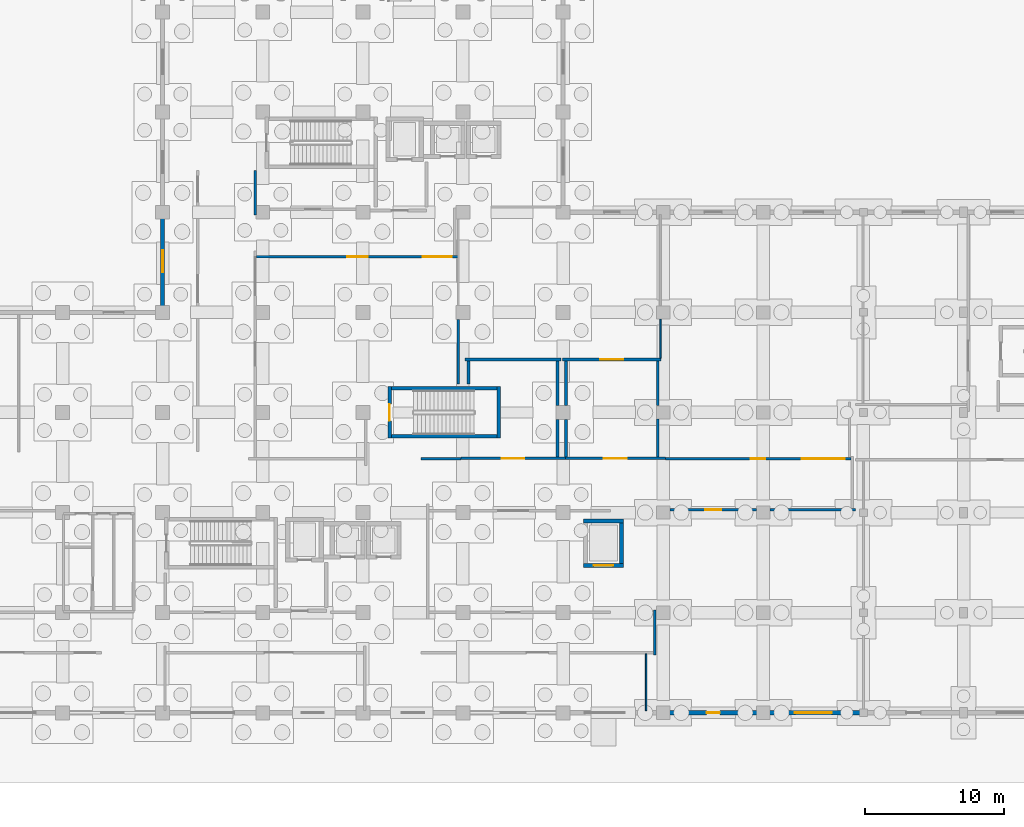
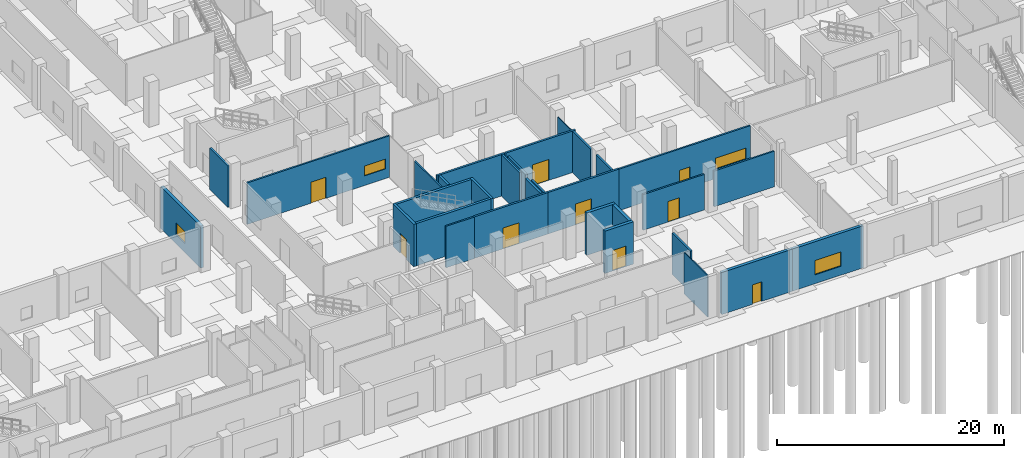
# One storey, part 24 of 48: 31 walls, 9 doors, 4 windows, 13 openings.
"""IFC4 building model written with IfcOpenShell, lengths in metres."""

from ifc_helpers import new_model, si_unit, direction, frame, frame_2d, origin, place, context, subcontext, project, spatial, rectangle, extrude, material, layer, layer_set, type_object, element, fill, save


model = new_model("IFC4")

# Units and contexts
model_context = context("Model", 3, precision=1e-05, world=origin(), true_north=direction((0.0, 1.0)))
body_context = subcontext(model_context, "Body", "Model", "MODEL_VIEW")
ifc_project = project(units=[si_unit("LENGTHUNIT", "METRE"), si_unit("AREAUNIT", "SQUARE_METRE"), si_unit("VOLUMEUNIT", "CUBIC_METRE"), si_unit("PLANEANGLEUNIT", "RADIAN"), si_unit("MASSUNIT", "GRAM", prefix="KILO")], contexts=[model_context])

# Site, building, storey
site_placement = place(None, origin())
site = spatial("IfcSite", under=ifc_project, at=site_placement, CompositionType="ELEMENT")
building_placement = place(site_placement, origin())
building = spatial("IfcBuilding", under=site, at=building_placement, Name="Seraya Terrace Polytechnic", CompositionType="ELEMENT")
storey_placement = place(building_placement, origin())
storey = spatial("IfcBuildingStorey", under=building, at=storey_placement, Name="L00", CompositionType="ELEMENT", Elevation=0.0)

# Wall, opening, window
ifc_material_1 = material(Name="Concrete C40/50", Category="concrete")
ifc_layer_1 = layer(ifc_material_1, 0.300048828125, Name="EW-01")
ifc_layer_set_1 = layer_set([ifc_layer_1], Name="Concrete C40/50")
wall_type_1 = type_object("IfcWallType", Name="EW-01", PredefinedType="SOLIDWALL", material=ifc_layer_set_1)
wall_1_placement = place(storey_placement, frame((129.60009765625, 0.0, 0.0), z_axis=(0.0, 0.0, 1.0), x_axis=(-1.0, 0.0, 0.0)))
wall_1 = element("IfcWall", 1, at=wall_1_placement, inside=storey, type_object=wall_type_1, Name="Exterior structural wall EW-01 L00", PredefinedType="SOLIDWALL", context=body_context, shape_type="SweptSolid", body=[
    extrude(rectangle(XDim=7.2001953125, YDim=0.300048828125, at=frame_2d((3.60009765625, 0.0))), origin(), (0.0, 0.0, 1.0), 4.52001953125),
])
opening_1_placement = place(wall_1_placement, frame((2.27490234375, 0.0, 0.949951171875)))
opening_1 = element("IfcOpeningElement", 2, at=opening_1_placement, cuts=wall_1, Name="Opening WN-22", PredefinedType="OPENING", context=body_context, shape_type="SweptSolid", body=[
    extrude(rectangle(XDim=2.64990234375, YDim=1.550048828125, at=frame_2d((1.324951171875, 0.77490234375))), frame((0.0, 0.162109375, 0.0), z_axis=(0.0, -1.0, 0.0), x_axis=(1.0, 0.0, 0.0)), (0.0, 0.0, 1.0), 0.323974609375),
])
ifc_material_2 = material(Name="Laminated solar-control Low-E double glazing", Category="glass")
window_type_1 = type_object("IfcWindowType", Name="WN-22", PartitioningType="SINGLE_PANEL", PredefinedType="WINDOW", material=ifc_material_2)
window_1_placement = place(opening_1_placement, origin())
window_1 = element("IfcWindow", 3, at=window_1_placement, inside=storey, type_object=window_type_1, Name="Exterior window WN-22 L00", OverallHeight=1.550048828125, OverallWidth=2.64990234375, PartitioningType="SINGLE_PANEL", PredefinedType="WINDOW", context=body_context, shape_type="SweptSolid", body=[
    extrude(rectangle(XDim=2.64990234375, YDim=1.550048828125, at=frame_2d((1.324951171875, 0.77490234375))), frame((0.0, 0.030029296875, 0.0), z_axis=(0.0, -1.0, 0.0), x_axis=(1.0, 0.0, 0.0)), (0.0, 0.0, 1.0), 0.06005859375),
])
fill(opening_1, window_1)

# Wall, opening, door
wall_2_placement = place(storey_placement, frame((122.39990234375, 0.0, 0.0), z_axis=(0.0, 0.0, 1.0), x_axis=(-1.0, 0.0, 0.0)))
wall_2 = element("IfcWall", 4, at=wall_2_placement, inside=storey, type_object=wall_type_1, Name="Exterior structural wall EW-01 L00", PredefinedType="SOLIDWALL", context=body_context, shape_type="SweptSolid", body=[
    extrude(rectangle(XDim=7.199951171875, YDim=0.300048828125, at=frame_2d((3.60009765625, 0.0))), origin(), (0.0, 0.0, 1.0), 4.52001953125),
])
opening_2_placement = place(wall_2_placement, frame((3.1201171875, 0.0, 0.0)))
opening_2 = element("IfcOpeningElement", 5, at=opening_2_placement, cuts=wall_2, Name="Opening ED-08", PredefinedType="OPENING", context=body_context, shape_type="SweptSolid", body=[
    extrude(rectangle(XDim=0.9599609375, YDim=2.10009765625, at=frame_2d((0.47998046875, 1.050048828125))), frame((0.0, 0.162109375, 0.0), z_axis=(0.0, -1.0, 0.0), x_axis=(1.0, 0.0, 0.0)), (0.0, 0.0, 1.0), 0.323974609375),
])
ifc_material_3 = material(Name="Anodised aluminium EN AW-6063 T6", Category="aluminium")
door_type_1 = type_object("IfcDoorType", Name="ED-08", OperationType="NOTDEFINED", PredefinedType="DOOR", material=ifc_material_3)
door_1_placement = place(opening_2_placement, origin())
door_1 = element("IfcDoor", 6, at=door_1_placement, inside=storey, type_object=door_type_1, Name="Door ED-08 DR-EXIT-L00-024 in WL-EXT-L00-08-06", OperationType="SINGLE_SWING_LEFT", OverallHeight=2.10009765625, OverallWidth=0.9599609375, PredefinedType="DOOR", context=body_context, shape_type="SweptSolid", body=[
    extrude(rectangle(XDim=0.9599609375, YDim=2.10009765625, at=frame_2d((0.47998046875, 1.050048828125))), frame((0.0, 0.02490234375, 0.0), z_axis=(0.0, -1.0, 0.0), x_axis=(1.0, 0.0, 0.0)), (0.0, 0.0, 1.0), 0.050048828125),
])
fill(opening_2, door_1)

# Wall, opening, window
wall_3_placement = place(storey_placement, frame((79.199951171875, 28.951904296875, 0.0), z_axis=(0.0, 0.0, 1.0), x_axis=(0.0, 1.0, 0.0)))
wall_3 = element("IfcWall", 7, at=wall_3_placement, inside=storey, type_object=wall_type_1, Name="Exterior structural wall EW-01 L00", PredefinedType="SOLIDWALL", context=body_context, shape_type="SweptSolid", body=[
    extrude(rectangle(XDim=7.048095703125, YDim=0.300048828125, at=frame_2d((3.52392578125, 0.0))), origin(), (0.0, 0.0, 1.0), 4.52001953125),
])
opening_3_placement = place(wall_3_placement, frame((2.72412109375, 0.0, 0.949951171875)))
opening_3 = element("IfcOpeningElement", 8, at=opening_3_placement, cuts=wall_3, Name="Opening WN-05", PredefinedType="OPENING", context=body_context, shape_type="SweptSolid", body=[
    extrude(rectangle(XDim=1.60009765625, YDim=1.300048828125, at=frame_2d((0.800048828125, 0.64990234375))), frame((0.0, 0.162109375, 0.0), z_axis=(0.0, -1.0, 0.0), x_axis=(1.0, 0.0, 0.0)), (0.0, 0.0, 1.0), 0.323974609375),
])
window_type_2 = type_object("IfcWindowType", Name="WN-05", PartitioningType="SINGLE_PANEL", PredefinedType="WINDOW", material=ifc_material_2)
window_2_placement = place(opening_3_placement, origin())
window_2 = element("IfcWindow", 9, at=window_2_placement, inside=storey, type_object=window_type_2, Name="Exterior window WN-05 L00", OverallHeight=1.300048828125, OverallWidth=1.60009765625, PartitioningType="SINGLE_PANEL", PredefinedType="WINDOW", context=body_context, shape_type="SweptSolid", body=[
    extrude(rectangle(XDim=1.60009765625, YDim=1.300048828125, at=frame_2d((0.800048828125, 0.64990234375))), frame((0.0, 0.030029296875, 0.0), z_axis=(0.0, -1.0, 0.0), x_axis=(1.0, 0.0, 0.0)), (0.0, 0.0, 1.0), 0.06005859375),
])
fill(opening_3, window_2)

# Wall, opening, door
ifc_material_4 = material(Name="Autoclaved aerated concrete blockwork", Category="masonry")
ifc_layer_2 = layer(ifc_material_4, 0.199951171875, Name="PT-01")
ifc_layer_set_2 = layer_set([ifc_layer_2], Name="Autoclaved aerated concrete blockwork")
wall_type_2 = type_object("IfcWallType", Name="PT-01", PredefinedType="PARTITIONING", material=ifc_layer_set_2)
wall_4_placement = place(storey_placement, frame((100.639892578125, 18.300048828125, 0.0), z_axis=(0.0, 0.0, 1.0), x_axis=(1.0, 0.0, 0.0)))
wall_4 = element("IfcWall", 10, at=wall_4_placement, inside=storey, type_object=wall_type_2, Name="Internal partition PT-01 L00", PredefinedType="PARTITIONING", context=body_context, shape_type="SweptSolid", body=[
    extrude(rectangle(XDim=7.52001953125, YDim=0.199951171875, at=frame_2d((3.760009765625, 0.0))), origin(), (0.0, 0.0, 1.0), 4.4599609375),
])
opening_4_placement = place(wall_4_placement, frame((2.93994140625, 0.0, 0.0)))
opening_4 = element("IfcOpeningElement", 11, at=opening_4_placement, cuts=wall_4, Name="Opening FD-03", PredefinedType="OPENING", context=body_context, shape_type="SweptSolid", body=[
    extrude(rectangle(XDim=1.639892578125, YDim=2.239990234375, at=frame_2d((0.81982421875, 1.1201171875))), frame((0.0, 0.11181640625, 0.0), z_axis=(0.0, -1.0, 0.0), x_axis=(1.0, 0.0, 0.0)), (0.0, 0.0, 1.0), 0.223876953125),
])
ifc_material_5 = material(Name="Steel S355J2", Category="steel")
door_type_2 = type_object("IfcDoorType", Name="FD-03", OperationType="DOUBLE_DOOR_SINGLE_SWING", PredefinedType="DOOR", material=ifc_material_5)
door_2_placement = place(opening_4_placement, origin())
door_2 = element("IfcDoor", 12, at=door_2_placement, inside=storey, type_object=door_type_2, Name="Door FD-03 DR-INT-L00-0026 in WL-INT-L00-0019", OperationType="DOUBLE_DOOR_SINGLE_SWING", OverallHeight=2.239990234375, OverallWidth=1.639892578125, PredefinedType="DOOR", context=body_context, shape_type="SweptSolid", body=[
    extrude(rectangle(XDim=1.639892578125, YDim=2.239990234375, at=frame_2d((0.81982421875, 1.1201171875))), frame((0.0, 0.02490234375, 0.0), z_axis=(0.0, -1.0, 0.0), x_axis=(1.0, 0.0, 0.0)), (0.0, 0.0, 1.0), 0.050048828125),
])
fill(opening_4, door_2)

# Walls
wall_5_placement = place(storey_placement, frame((100.9599609375, 25.39990234375, 0.0), z_axis=(0.0, 0.0, 1.0), x_axis=(1.0, 0.0, 0.0)))
element("IfcWall", 13, at=wall_5_placement, inside=storey, type_object=wall_type_2, Name="Internal partition PT-01 L00", PredefinedType="PARTITIONING", context=body_context, shape_type="SweptSolid", body=[
    extrude(rectangle(XDim=6.880126953125, YDim=0.199951171875, at=frame_2d((3.43994140625, 0.0))), origin(), (0.0, 0.0, 1.0), 4.4599609375),
])
wall_6_placement = place(storey_placement, frame((107.60009765625, 22.110107421875, 0.0), z_axis=(0.0, 0.0, 1.0), x_axis=(0.0, 1.0, 0.0)))
element("IfcWall", 14, at=wall_6_placement, inside=storey, type_object=wall_type_2, Name="Internal partition PT-01 L00", PredefinedType="PARTITIONING", context=body_context, shape_type="SweptSolid", body=[
    extrude(rectangle(XDim=3.1748046875, YDim=0.199951171875, at=frame_2d((1.58740234375, 0.0))), origin(), (0.0, 0.0, 1.0), 4.4599609375),
])
wall_7_placement = place(storey_placement, frame((107.60009765625, 18.4150390625, 0.0), z_axis=(0.0, 0.0, 1.0), x_axis=(0.0, 1.0, 0.0)))
element("IfcWall", 15, at=wall_7_placement, inside=storey, type_object=wall_type_2, Name="Internal partition PT-01 L00", PredefinedType="PARTITIONING", context=body_context, shape_type="SweptSolid", body=[
    extrude(rectangle(XDim=2.675048828125, YDim=0.199951171875, at=frame_2d((1.33740234375, 0.0))), origin(), (0.0, 0.0, 1.0), 4.4599609375),
])
wall_8_placement = place(storey_placement, frame((101.199951171875, 23.6298828125, 0.0), z_axis=(0.0, 0.0, 1.0), x_axis=(0.0, 1.0, 0.0)))
element("IfcWall", 16, at=wall_8_placement, inside=storey, type_object=wall_type_2, Name="Internal partition PT-01 L00", PredefinedType="PARTITIONING", context=body_context, shape_type="SweptSolid", body=[
    extrude(rectangle(XDim=1.655029296875, YDim=0.199951171875, at=frame_2d((0.82763671875, 0.0))), origin(), (0.0, 0.0, 1.0), 4.4599609375),
])

# Wall, opening, door
wall_9_placement = place(storey_placement, frame((108.159912109375, 18.300048828125, 0.0), z_axis=(0.0, 0.0, 1.0), x_axis=(1.0, 0.0, 0.0)))
wall_9 = element("IfcWall", 17, at=wall_9_placement, inside=storey, type_object=wall_type_2, Name="Internal partition PT-01 L00", PredefinedType="PARTITIONING", context=body_context, shape_type="SweptSolid", body=[
    extrude(rectangle(XDim=7.2001953125, YDim=0.199951171875, at=frame_2d((3.60009765625, 0.0))), origin(), (0.0, 0.0, 1.0), 4.4599609375),
])
opening_5_placement = place(wall_9_placement, frame((2.780029296875, 0.0, 0.0)))
opening_5 = element("IfcOpeningElement", 18, at=opening_5_placement, cuts=wall_9, Name="Opening FD-03", PredefinedType="OPENING", context=body_context, shape_type="SweptSolid", body=[
    extrude(rectangle(XDim=1.639892578125, YDim=2.239990234375, at=frame_2d((0.81982421875, 1.1201171875))), frame((0.0, 0.11181640625, 0.0), z_axis=(0.0, -1.0, 0.0), x_axis=(1.0, 0.0, 0.0)), (0.0, 0.0, 1.0), 0.223876953125),
])
door_3_placement = place(opening_5_placement, origin())
door_3 = element("IfcDoor", 19, at=door_3_placement, inside=storey, type_object=door_type_2, Name="Door FD-03 DR-INT-L00-0028 in WL-INT-L00-0024", OperationType="DOUBLE_DOOR_SINGLE_SWING", OverallHeight=2.239990234375, OverallWidth=1.639892578125, PredefinedType="DOOR", context=body_context, shape_type="SweptSolid", body=[
    extrude(rectangle(XDim=1.639892578125, YDim=2.239990234375, at=frame_2d((0.81982421875, 1.1201171875))), frame((0.0, 0.02490234375, 0.0), z_axis=(0.0, -1.0, 0.0), x_axis=(1.0, 0.0, 0.0)), (0.0, 0.0, 1.0), 0.050048828125),
])
fill(opening_5, door_3)

wall_10_placement = place(storey_placement, frame((107.9599609375, 25.39990234375, 0.0), z_axis=(0.0, 0.0, 1.0), x_axis=(1.0, 0.0, 0.0)))
wall_10 = element("IfcWall", 20, at=wall_10_placement, inside=storey, type_object=wall_type_2, Name="Internal partition PT-01 L00", PredefinedType="PARTITIONING", context=body_context, shape_type="SweptSolid", body=[
    extrude(rectangle(XDim=7.080078125, YDim=0.199951171875, at=frame_2d((3.5400390625, 0.0))), origin(), (0.0, 0.0, 1.0), 4.4599609375),
])
opening_6_placement = place(wall_10_placement, frame((2.719970703125, 0.0, 0.0)))
opening_6 = element("IfcOpeningElement", 21, at=opening_6_placement, cuts=wall_10, Name="Opening FD-03", PredefinedType="OPENING", context=body_context, shape_type="SweptSolid", body=[
    extrude(rectangle(XDim=1.639892578125, YDim=2.239990234375, at=frame_2d((0.81982421875, 1.1201171875))), frame((0.0, 0.11181640625, 0.0), z_axis=(0.0, -1.0, 0.0), x_axis=(1.0, 0.0, 0.0)), (0.0, 0.0, 1.0), 0.223876953125),
])
door_4_placement = place(opening_6_placement, frame((1.639892578125, 0.0, 0.0), z_axis=(0.0, 0.0, 1.0), x_axis=(-1.0, 0.0, 0.0)))
door_4 = element("IfcDoor", 22, at=door_4_placement, inside=storey, type_object=door_type_2, Name="Door FD-03 DR-INT-L00-0029 in WL-INT-L00-0025", OperationType="DOUBLE_DOOR_SINGLE_SWING", OverallHeight=2.239990234375, OverallWidth=1.639892578125, PredefinedType="DOOR", context=body_context, shape_type="SweptSolid", body=[
    extrude(rectangle(XDim=1.639892578125, YDim=2.239990234375, at=frame_2d((0.81982421875, 1.1201171875))), frame((0.0, 0.02490234375, 0.0), z_axis=(0.0, -1.0, 0.0), x_axis=(1.0, 0.0, 0.0)), (0.0, 0.0, 1.0), 0.050048828125),
])
fill(opening_6, door_4)

# Walls
wall_11_placement = place(storey_placement, frame((114.800048828125, 22.0849609375, 0.0), z_axis=(0.0, 0.0, 1.0), x_axis=(0.0, 1.0, 0.0)))
element("IfcWall", 23, at=wall_11_placement, inside=storey, type_object=wall_type_2, Name="Internal partition PT-01 L00", PredefinedType="PARTITIONING", context=body_context, shape_type="SweptSolid", body=[
    extrude(rectangle(XDim=3.199951171875, YDim=0.199951171875, at=frame_2d((1.60009765625, 0.0))), origin(), (0.0, 0.0, 1.0), 4.4599609375),
])
wall_12_placement = place(storey_placement, frame((114.800048828125, 18.4150390625, 0.0), z_axis=(0.0, 0.0, 1.0), x_axis=(0.0, 1.0, 0.0)))
element("IfcWall", 24, at=wall_12_placement, inside=storey, type_object=wall_type_2, Name="Internal partition PT-01 L00", PredefinedType="PARTITIONING", context=body_context, shape_type="SweptSolid", body=[
    extrude(rectangle(XDim=2.699951171875, YDim=0.199951171875, at=frame_2d((1.35009765625, 0.0))), origin(), (0.0, 0.0, 1.0), 4.4599609375),
])
wall_13_placement = place(storey_placement, frame((108.199951171875, 22.110107421875, 0.0), z_axis=(0.0, 0.0, 1.0), x_axis=(0.0, 1.0, 0.0)))
element("IfcWall", 25, at=wall_13_placement, inside=storey, type_object=wall_type_2, Name="Internal partition PT-01 L00", PredefinedType="PARTITIONING", context=body_context, shape_type="SweptSolid", body=[
    extrude(rectangle(XDim=3.1748046875, YDim=0.199951171875, at=frame_2d((1.58740234375, 0.0))), origin(), (0.0, 0.0, 1.0), 4.080078125),
])
wall_14_placement = place(storey_placement, frame((108.199951171875, 18.4150390625, 0.0), z_axis=(0.0, 0.0, 1.0), x_axis=(0.0, 1.0, 0.0)))
element("IfcWall", 26, at=wall_14_placement, inside=storey, type_object=wall_type_2, Name="Internal partition PT-01 L00", PredefinedType="PARTITIONING", context=body_context, shape_type="SweptSolid", body=[
    extrude(rectangle(XDim=2.675048828125, YDim=0.199951171875, at=frame_2d((1.33740234375, 0.0))), origin(), (0.0, 0.0, 1.0), 4.080078125),
])

# Wall, opening, door
ifc_layer_3 = layer(ifc_material_4, 0.169921875, Name="PT-02")
ifc_layer_set_3 = layer_set([ifc_layer_3], Name="Autoclaved aerated concrete blockwork")
wall_type_3 = type_object("IfcWallType", Name="PT-02", PredefinedType="PARTITIONING", material=ifc_layer_set_3)
wall_15_placement = place(storey_placement, frame((115.68505859375, 14.60009765625, 0.0), z_axis=(0.0, 0.0, 1.0), x_axis=(1.0, 0.0, 0.0)))
wall_15 = element("IfcWall", 27, at=wall_15_placement, inside=storey, type_object=wall_type_3, Name="Internal partition PT-02 L00", PredefinedType="PARTITIONING", context=body_context, shape_type="SweptSolid", body=[
    extrude(rectangle(XDim=6.22998046875, YDim=0.169921875, at=frame_2d((3.114990234375, 0.0))), origin(), (0.0, 0.0, 1.0), 3.830078125),
])
opening_7_placement = place(wall_15_placement, frame((2.544921875, 0.0, 0.0)))
opening_7 = element("IfcOpeningElement", 28, at=opening_7_placement, cuts=wall_15, Name="Opening ID-06", PredefinedType="OPENING", context=body_context, shape_type="SweptSolid", body=[
    extrude(rectangle(XDim=1.139892578125, YDim=2.199951171875, at=frame_2d((0.56982421875, 1.10009765625))), frame((0.0, 0.096923828125, 0.0), z_axis=(0.0, -1.0, 0.0), x_axis=(1.0, 0.0, 0.0)), (0.0, 0.0, 1.0), 0.19384765625),
])
ifc_material_6 = material(Name="Malaysian dark red meranti hardwood timber D40", Category="wood")
door_type_3 = type_object("IfcDoorType", Name="ID-06", OperationType="NOTDEFINED", PredefinedType="DOOR", material=ifc_material_6)
door_5_placement = place(opening_7_placement, frame((1.139892578125, 0.0, 0.0), z_axis=(0.0, 0.0, 1.0), x_axis=(-1.0, 0.0, 0.0)))
door_5 = element("IfcDoor", 29, at=door_5_placement, inside=storey, type_object=door_type_3, Name="Door ID-06 DR-INT-L00-0035 in WL-INT-L00-0036", OperationType="SINGLE_SWING_RIGHT", OverallHeight=2.199951171875, OverallWidth=1.139892578125, PredefinedType="DOOR", context=body_context, shape_type="SweptSolid", body=[
    extrude(rectangle(XDim=1.139892578125, YDim=2.199951171875, at=frame_2d((0.56982421875, 1.10009765625))), frame((0.0, 0.02490234375, 0.0), z_axis=(0.0, -1.0, 0.0), x_axis=(1.0, 0.0, 0.0)), (0.0, 0.0, 1.0), 0.050048828125),
])
fill(opening_7, door_5)

# Walls
wall_16_placement = place(storey_placement, frame((122.885009765625, 14.60009765625, 0.0), z_axis=(0.0, 0.0, 1.0), x_axis=(1.0, 0.0, 0.0)))
element("IfcWall", 30, at=wall_16_placement, inside=storey, type_object=wall_type_3, Name="Internal partition PT-02 L00", PredefinedType="PARTITIONING", context=body_context, shape_type="SweptSolid", body=[
    extrude(rectangle(XDim=6.155029296875, YDim=0.169921875, at=frame_2d((3.07763671875, 0.0))), origin(), (0.0, 0.0, 1.0), 3.830078125),
])
wall_17_placement = place(storey_placement, frame((97.7880859375, 18.27001953125, 0.0), z_axis=(0.0, 0.0, 1.0), x_axis=(1.0, 0.0, 0.0)))
element("IfcWall", 31, at=wall_17_placement, inside=storey, type_object=wall_type_3, Name="Internal partition PT-02 L00", PredefinedType="PARTITIONING", context=body_context, shape_type="SweptSolid", body=[
    extrude(rectangle(XDim=2.851806640625, YDim=0.169921875, at=frame_2d((1.42578125, 0.0))), origin(), (0.0, 0.0, 1.0), 4.4599609375),
])

# Wall, openings, door, window
wall_18_placement = place(storey_placement, frame((115.360107421875, 18.27001953125, 0.0), z_axis=(0.0, 0.0, 1.0), x_axis=(1.0, 0.0, 0.0)))
wall_18 = element("IfcWall", 32, at=wall_18_placement, inside=storey, type_object=wall_type_3, Name="Internal partition PT-02 L00", PredefinedType="PARTITIONING", context=body_context, shape_type="SweptSolid", body=[
    extrude(rectangle(XDim=13.33984375, YDim=0.169921875, at=frame_2d((6.669921875, 0.0))), origin(), (0.0, 0.0, 1.0), 4.4599609375),
])
opening_8_placement = place(wall_18_placement, frame((6.14990234375, 0.0, 0.0)))
opening_8 = element("IfcOpeningElement", 33, at=opening_8_placement, cuts=wall_18, Name="Opening ID-04", PredefinedType="OPENING", context=body_context, shape_type="SweptSolid", body=[
    extrude(rectangle(XDim=1.0400390625, YDim=2.179931640625, at=frame_2d((0.52001953125, 1.08984375))), frame((0.0, 0.096923828125, 0.0), z_axis=(0.0, -1.0, 0.0), x_axis=(1.0, 0.0, 0.0)), (0.0, 0.0, 1.0), 0.19384765625),
])
opening_9_placement = place(wall_18_placement, frame((9.7900390625, 0.0, 1.050048828125)))
opening_9 = element("IfcOpeningElement", 34, at=opening_9_placement, cuts=wall_18, Name="Opening IW-06", PredefinedType="OPENING", context=body_context, shape_type="SweptSolid", body=[
    extrude(rectangle(XDim=3.10009765625, YDim=1.14990234375, at=frame_2d((1.550048828125, 0.574951171875))), frame((0.0, 0.096923828125, 0.0), z_axis=(0.0, -1.0, 0.0), x_axis=(1.0, 0.0, 0.0)), (0.0, 0.0, 1.0), 0.19384765625),
])
door_type_4 = type_object("IfcDoorType", Name="ID-04", OperationType="NOTDEFINED", PredefinedType="DOOR", material=ifc_material_6)
door_6_placement = place(opening_8_placement, frame((1.0400390625, 0.0, 0.0), z_axis=(0.0, 0.0, 1.0), x_axis=(-1.0, 0.0, 0.0)))
door_6 = element("IfcDoor", 35, at=door_6_placement, inside=storey, type_object=door_type_4, Name="Door ID-04 DR-INT-L00-0017 in WL-INT-L00-0040", OperationType="SINGLE_SWING_RIGHT", OverallHeight=2.179931640625, OverallWidth=1.0400390625, PredefinedType="DOOR", context=body_context, shape_type="SweptSolid", body=[
    extrude(rectangle(XDim=1.0400390625, YDim=2.179931640625, at=frame_2d((0.52001953125, 1.08984375))), frame((0.0, 0.02490234375, 0.0), z_axis=(0.0, -1.0, 0.0), x_axis=(1.0, 0.0, 0.0)), (0.0, 0.0, 1.0), 0.050048828125),
])
fill(opening_8, door_6)
window_type_3 = type_object("IfcWindowType", Name="IW-06", PartitioningType="SINGLE_PANEL", PredefinedType="WINDOW", material=ifc_material_2)
window_3_placement = place(opening_9_placement, origin())
window_3 = element("IfcWindow", 36, at=window_3_placement, inside=storey, type_object=window_type_3, Name="Internal lab vision window IW-06 L00", OverallHeight=1.14990234375, OverallWidth=3.10009765625, PartitioningType="SINGLE_PANEL", PredefinedType="WINDOW", context=body_context, shape_type="SweptSolid", body=[
    extrude(rectangle(XDim=3.10009765625, YDim=1.14990234375, at=frame_2d((1.550048828125, 0.574951171875))), frame((0.0, 0.030029296875, 0.0), z_axis=(0.0, -1.0, 0.0), x_axis=(1.0, 0.0, 0.0)), (0.0, 0.0, 1.0), 0.06005859375),
])
fill(opening_9, window_3)

# Walls
wall_19_placement = place(storey_placement, frame((114.60009765625, 4.159912109375, 0.0), z_axis=(0.0, 0.0, 1.0), x_axis=(0.0, 1.0, 0.0)))
element("IfcWall", 37, at=wall_19_placement, inside=storey, type_object=wall_type_3, Name="Internal partition PT-02 L00", PredefinedType="PARTITIONING", context=body_context, shape_type="SweptSolid", body=[
    extrude(rectangle(XDim=3.22998046875, YDim=0.169921875, at=frame_2d((1.614990234375, 0.0))), origin(), (0.0, 0.0, 1.0), 4.4599609375),
])
wall_20_placement = place(storey_placement, frame((85.8701171875, 35.820068359375, 0.0), z_axis=(0.0, 0.0, 1.0), x_axis=(0.0, 1.0, 0.0)))
element("IfcWall", 38, at=wall_20_placement, inside=storey, type_object=wall_type_3, Name="Internal partition PT-02 L00", PredefinedType="PARTITIONING", context=body_context, shape_type="SweptSolid", body=[
    extrude(rectangle(XDim=3.19189453125, YDim=0.169921875, at=frame_2d((1.595947265625, 0.0))), origin(), (0.0, 0.0, 1.0), 4.4599609375),
])

# Wall, openings, door, window
wall_21_placement = place(storey_placement, frame((85.963134765625, 32.800048828125, 0.0), z_axis=(0.0, 0.0, 1.0), x_axis=(1.0, 0.0, 0.0)))
wall_21 = element("IfcWall", 39, at=wall_21_placement, inside=storey, type_object=wall_type_3, Name="Internal partition PT-02 L00", PredefinedType="PARTITIONING", context=body_context, shape_type="SweptSolid", body=[
    extrude(rectangle(XDim=14.476806640625, YDim=0.169921875, at=frame_2d((7.23828125, 0.0))), origin(), (0.0, 0.0, 1.0), 4.4599609375),
])
opening_10_placement = place(wall_21_placement, frame((6.498291015625, 0.0, 0.0)))
opening_10 = element("IfcOpeningElement", 40, at=opening_10_placement, cuts=wall_21, Name="Opening ID-11", PredefinedType="OPENING", context=body_context, shape_type="SweptSolid", body=[
    extrude(rectangle(XDim=1.47998046875, YDim=2.260009765625, at=frame_2d((0.739990234375, 1.1298828125))), frame((0.0, 0.096923828125, 0.0), z_axis=(0.0, -1.0, 0.0), x_axis=(1.0, 0.0, 0.0)), (0.0, 0.0, 1.0), 0.19384765625),
])
opening_11_placement = place(wall_21_placement, frame((11.9267578125, 0.0, 1.050048828125)))
opening_11 = element("IfcOpeningElement", 41, at=opening_11_placement, cuts=wall_21, Name="Opening IW-03", PredefinedType="OPENING", context=body_context, shape_type="SweptSolid", body=[
    extrude(rectangle(XDim=2.10009765625, YDim=1.050048828125, at=frame_2d((1.050048828125, 0.52490234375))), frame((0.0, 0.096923828125, 0.0), z_axis=(0.0, -1.0, 0.0), x_axis=(1.0, 0.0, 0.0)), (0.0, 0.0, 1.0), 0.19384765625),
])
door_type_5 = type_object("IfcDoorType", Name="ID-11", OperationType="DOUBLE_DOOR_SINGLE_SWING", PredefinedType="DOOR", material=ifc_material_6)
door_7_placement = place(opening_10_placement, origin())
door_7 = element("IfcDoor", 42, at=door_7_placement, inside=storey, type_object=door_type_5, Name="Door ID-11 DR-INT-L00-0008 in WL-INT-L00-0065", OperationType="DOUBLE_DOOR_SINGLE_SWING", OverallHeight=2.260009765625, OverallWidth=1.47998046875, PredefinedType="DOOR", context=body_context, shape_type="SweptSolid", body=[
    extrude(rectangle(XDim=1.47998046875, YDim=2.260009765625, at=frame_2d((0.739990234375, 1.1298828125))), frame((0.0, 0.02490234375, 0.0), z_axis=(0.0, -1.0, 0.0), x_axis=(1.0, 0.0, 0.0)), (0.0, 0.0, 1.0), 0.050048828125),
])
fill(opening_10, door_7)
window_type_4 = type_object("IfcWindowType", Name="IW-03", PartitioningType="SINGLE_PANEL", PredefinedType="WINDOW", material=ifc_material_2)
window_4_placement = place(opening_11_placement, origin())
window_4 = element("IfcWindow", 43, at=window_4_placement, inside=storey, type_object=window_type_4, Name="Internal lab vision window IW-03 L00", OverallHeight=1.050048828125, OverallWidth=2.10009765625, PartitioningType="SINGLE_PANEL", PredefinedType="WINDOW", context=body_context, shape_type="SweptSolid", body=[
    extrude(rectangle(XDim=2.10009765625, YDim=1.050048828125, at=frame_2d((1.050048828125, 0.52490234375))), frame((0.0, 0.030029296875, 0.0), z_axis=(0.0, -1.0, 0.0), x_axis=(1.0, 0.0, 0.0)), (0.0, 0.0, 1.0), 0.06005859375),
])
fill(opening_11, window_4)

# Walls
ifc_layer_4 = layer(ifc_material_4, 0.14990234375, Name="PT-03")
ifc_layer_set_4 = layer_set([ifc_layer_4], Name="Autoclaved aerated concrete blockwork")
wall_type_4 = type_object("IfcWallType", Name="PT-03", PredefinedType="PARTITIONING", material=ifc_layer_set_4)
wall_22_placement = place(storey_placement, frame((100.459716796875, 23.6298828125, 0.0), z_axis=(0.0, 0.0, 1.0), x_axis=(0.0, 1.0, 0.0)))
element("IfcWall", 44, at=wall_22_placement, inside=storey, type_object=wall_type_4, Name="Internal partition PT-03 L00", PredefinedType="PARTITIONING", context=body_context, shape_type="SweptSolid", body=[
    extrude(rectangle(XDim=4.66015625, YDim=0.14990234375, at=frame_2d((2.330078125, 0.0))), origin(), (0.0, 0.0, 1.0), 4.4599609375),
])
ifc_layer_5 = layer(ifc_material_4, 0.10009765625, Name="PT-06")
ifc_layer_set_5 = layer_set([ifc_layer_5], Name="Autoclaved aerated concrete blockwork")
wall_type_5 = type_object("IfcWallType", Name="PT-06", PredefinedType="PARTITIONING", material=ifc_layer_set_5)
wall_23_placement = place(storey_placement, frame((113.969970703125, 0.162109375, 0.0), z_axis=(0.0, 0.0, 1.0), x_axis=(0.0, 1.0, 0.0)))
element("IfcWall", 45, at=wall_23_placement, inside=storey, type_object=wall_type_5, Name="Internal partition PT-06 L00", PredefinedType="PARTITIONING", context=body_context, shape_type="SweptSolid", body=[
    extrude(rectangle(XDim=4.06787109375, YDim=0.10009765625, at=frame_2d((2.033935546875, 0.0))), origin(), (0.0, 0.0, 1.0), 4.4599609375),
])
wall_24_placement = place(storey_placement, frame((114.9931640625, 25.514892578125, 0.0), z_axis=(0.0, 0.0, 1.0), x_axis=(0.0, 1.0, 0.0)))
element("IfcWall", 46, at=wall_24_placement, inside=storey, type_object=wall_type_5, Name="Internal partition PT-06 L00", PredefinedType="PARTITIONING", context=body_context, shape_type="SweptSolid", body=[
    extrude(rectangle(XDim=2.800048828125, YDim=0.10009765625, at=frame_2d((1.39990234375, 0.0))), origin(), (0.0, 0.0, 1.0), 4.080078125),
])

# Wall, opening, door
ifc_layer_6 = layer(ifc_material_1, 0.300048828125, Name="SW-01")
ifc_layer_set_6 = layer_set([ifc_layer_6], Name="Concrete C40/50")
wall_type_6 = type_object("IfcWallType", Name="SW-01", PredefinedType="SHEAR", material=ifc_layer_set_6)
wall_25_placement = place(storey_placement, frame((109.449951171875, 10.60009765625, 0.0), z_axis=(0.0, 0.0, 1.0), x_axis=(1.0, 0.0, 0.0)))
wall_25 = element("IfcWall", 47, at=wall_25_placement, inside=storey, type_object=wall_type_6, Name="Lift shaft GL-02 South wall L00", PredefinedType="SHEAR", context=body_context, shape_type="SweptSolid", body=[
    extrude(rectangle(XDim=2.900146484375, YDim=0.300048828125, at=frame_2d((1.4501953125, 0.0))), origin(), (0.0, 0.0, 1.0), 4.550048828125),
])
opening_12_placement = place(wall_25_placement, frame((0.75, 0.0, 0.0)))
opening_12 = element("IfcOpeningElement", 48, at=opening_12_placement, cuts=wall_25, Name="Opening LD-02", PredefinedType="OPENING", context=body_context, shape_type="SweptSolid", body=[
    extrude(rectangle(XDim=1.39990234375, YDim=2.199951171875, at=frame_2d((0.699951171875, 1.10009765625))), frame((0.0, 0.162109375, 0.0), z_axis=(0.0, -1.0, 0.0), x_axis=(1.0, 0.0, 0.0)), (0.0, 0.0, 1.0), 0.323974609375),
])
door_type_6 = type_object("IfcDoorType", Name="LD-02", OperationType="SLIDING_TO_RIGHT", PredefinedType="DOOR", material=ifc_material_5)
door_8_placement = place(opening_12_placement, frame((1.39990234375, 0.0, 0.0), z_axis=(0.0, 0.0, 1.0), x_axis=(-1.0, 0.0, 0.0)))
door_8 = element("IfcDoor", 49, at=door_8_placement, inside=storey, type_object=door_type_6, Name="Door LD-02 LD-GL-02-L00 in WL-SHF-GL-02-L00-S", OperationType="SLIDING_TO_RIGHT", OverallHeight=2.199951171875, OverallWidth=1.39990234375, PredefinedType="DOOR", context=body_context, shape_type="SweptSolid", body=[
    extrude(rectangle(XDim=1.39990234375, YDim=2.199951171875, at=frame_2d((0.699951171875, 1.10009765625))), frame((0.0, 0.02490234375, 0.0), z_axis=(0.0, -1.0, 0.0), x_axis=(1.0, 0.0, 0.0)), (0.0, 0.0, 1.0), 0.050048828125),
])
fill(opening_12, door_8)

# Walls
wall_26_placement = place(storey_placement, frame((109.449951171875, 13.800048828125, 0.0), z_axis=(0.0, 0.0, 1.0), x_axis=(1.0, 0.0, 0.0)))
element("IfcWall", 50, at=wall_26_placement, inside=storey, type_object=wall_type_6, Name="Lift shaft GL-02 North wall L00", PredefinedType="SHEAR", context=body_context, shape_type="SweptSolid", body=[
    extrude(rectangle(XDim=2.900146484375, YDim=0.300048828125, at=frame_2d((1.4501953125, 0.0))), origin(), (0.0, 0.0, 1.0), 4.550048828125),
])
wall_27_placement = place(storey_placement, frame((112.199951171875, 10.75, 0.0), z_axis=(0.0, 0.0, 1.0), x_axis=(0.0, 1.0, 0.0)))
element("IfcWall", 51, at=wall_27_placement, inside=storey, type_object=wall_type_6, Name="Lift shaft GL-02 East wall L00", PredefinedType="SHEAR", context=body_context, shape_type="SweptSolid", body=[
    extrude(rectangle(XDim=2.89990234375, YDim=0.300048828125, at=frame_2d((1.449951171875, 0.0))), origin(), (0.0, 0.0, 1.0), 4.550048828125),
])

# Wall, opening, door
ifc_layer_7 = layer(ifc_material_1, 0.25, Name="SW-02")
ifc_layer_set_7 = layer_set([ifc_layer_7], Name="Concrete C40/50")
wall_type_7 = type_object("IfcWallType", Name="SW-02", PredefinedType="SHEAR", material=ifc_layer_set_7)
wall_28_placement = place(storey_placement, frame((95.52490234375, 19.75, 0.0), z_axis=(0.0, 0.0, 1.0), x_axis=(0.0, 1.0, 0.0)))
wall_28 = element("IfcWall", 52, at=wall_28_placement, inside=storey, type_object=wall_type_7, Name="Stairwell ST-05 West wall L00", PredefinedType="SHEAR", context=body_context, shape_type="SweptSolid", body=[
    extrude(rectangle(XDim=3.699951171875, YDim=0.25, at=frame_2d((1.85009765625, 0.0))), origin(), (0.0, 0.0, 1.0), 4.550048828125),
])
opening_13_placement = place(wall_28_placement, frame((1.25, 0.0, 0.0)))
opening_13 = element("IfcOpeningElement", 53, at=opening_13_placement, cuts=wall_28, Name="Opening FD-01", PredefinedType="OPENING", context=body_context, shape_type="SweptSolid", body=[
    extrude(rectangle(XDim=1.199951171875, YDim=2.14990234375, at=frame_2d((0.60009765625, 1.074951171875))), frame((0.0, 0.136962890625, 0.0), z_axis=(0.0, -1.0, 0.0), x_axis=(1.0, 0.0, 0.0)), (0.0, 0.0, 1.0), 0.27392578125),
])
door_type_7 = type_object("IfcDoorType", Name="FD-01", OperationType="NOTDEFINED", PredefinedType="DOOR", material=ifc_material_5)
door_9_placement = place(opening_13_placement, origin())
door_9 = element("IfcDoor", 54, at=door_9_placement, inside=storey, type_object=door_type_7, Name="Door FD-01 DR-STR-ST-05-L00 in WL-STR-ST-05-L00-W", OperationType="SINGLE_SWING_RIGHT", OverallHeight=2.14990234375, OverallWidth=1.199951171875, PredefinedType="DOOR", context=body_context, shape_type="SweptSolid", body=[
    extrude(rectangle(XDim=1.199951171875, YDim=2.14990234375, at=frame_2d((0.60009765625, 1.074951171875))), frame((0.0, 0.02490234375, 0.0), z_axis=(0.0, -1.0, 0.0), x_axis=(1.0, 0.0, 0.0)), (0.0, 0.0, 1.0), 0.050048828125),
])
fill(opening_13, door_9)

# Walls
wall_29_placement = place(storey_placement, frame((103.375, 19.75, 0.0), z_axis=(0.0, 0.0, 1.0), x_axis=(0.0, 1.0, 0.0)))
element("IfcWall", 55, at=wall_29_placement, inside=storey, type_object=wall_type_7, Name="Stairwell ST-05 East wall L00", PredefinedType="SHEAR", context=body_context, shape_type="SweptSolid", body=[
    extrude(rectangle(XDim=3.699951171875, YDim=0.25, at=frame_2d((1.85009765625, 0.0))), origin(), (0.0, 0.0, 1.0), 4.550048828125),
])
for number, where, z_axis, x_axis, name in (
    (56, (95.64990234375, 19.875, 0.0), (0.0, 0.0, 1.0), (1.0, 0.0, 0.0), "Stairwell ST-05 South wall L00"),
    (57, (95.64990234375, 23.324951171875, 0.0), (0.0, 0.0, 1.0), (1.0, 0.0, 0.0), "Stairwell ST-05 North wall L00"),
):
    element("IfcWall", number, at=place(storey_placement, frame(where, z_axis=z_axis, x_axis=x_axis)), inside=storey, type_object=wall_type_7, Name=name, PredefinedType="SHEAR", context=body_context, shape_type="SweptSolid", body=[
        extrude(rectangle(XDim=7.60009765625, YDim=0.25, at=frame_2d((3.800048828125, 0.0))), origin(), (0.0, 0.0, 1.0), 4.550048828125),
    ])

save(model, "model.ifc")
